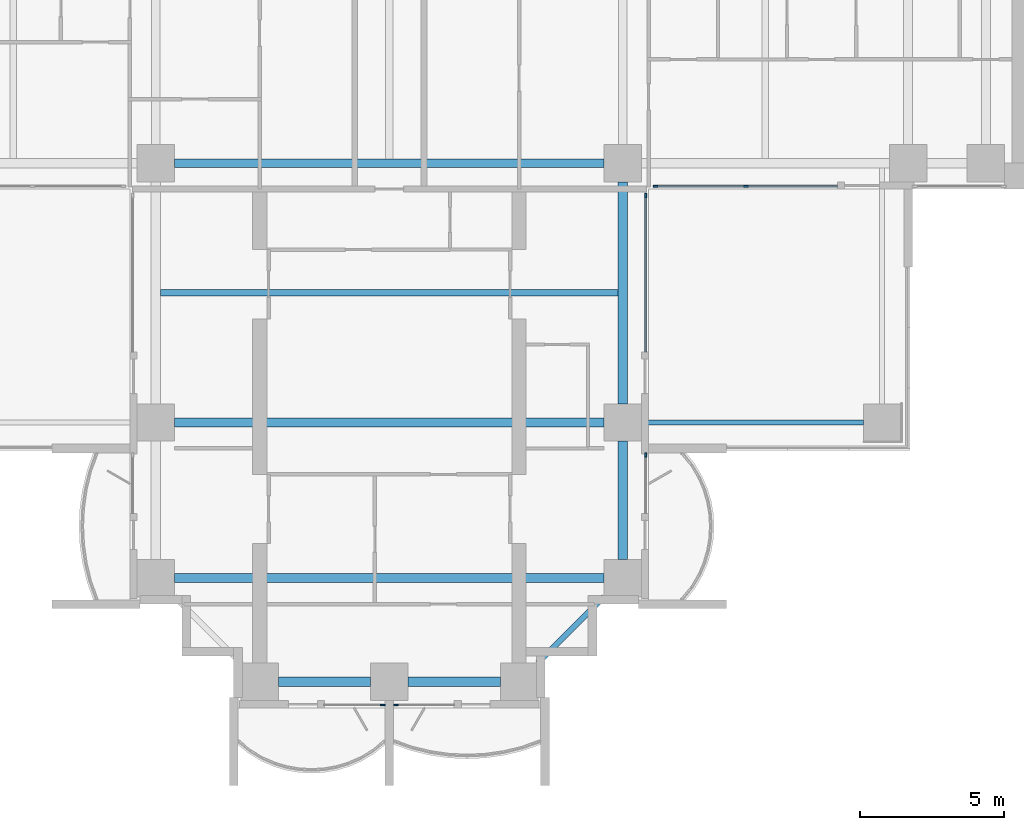
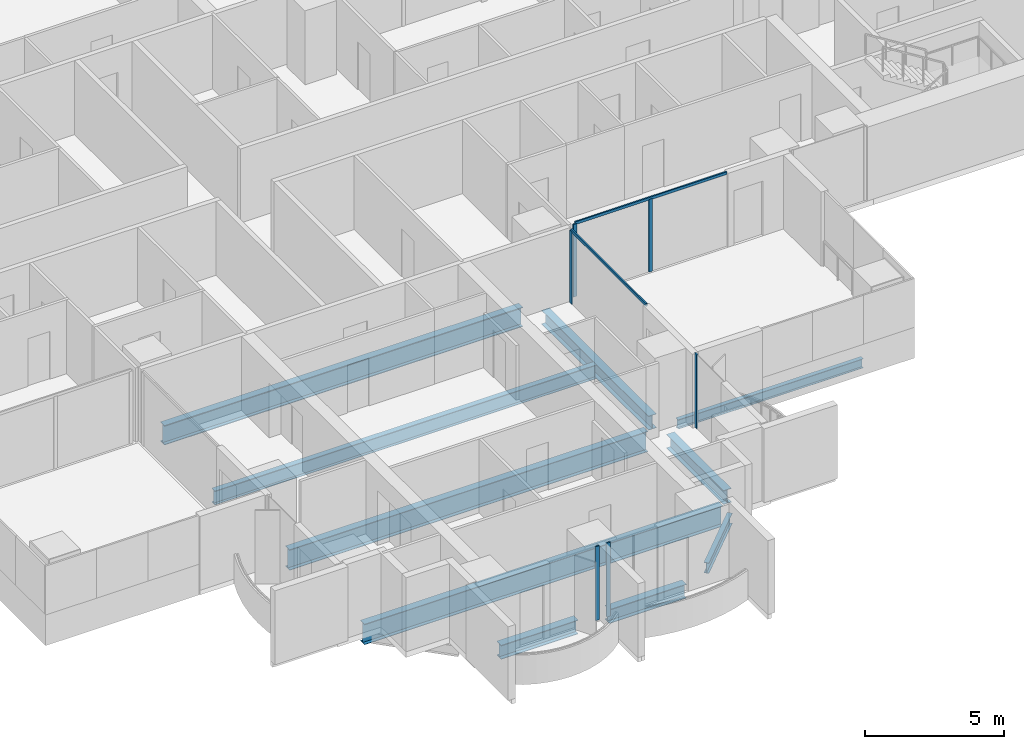
# One storey, part 3 of 20: 10 beams, 8 members, 5 elements without a shape of their own.
"""IFC4 building model written with IfcOpenShell, lengths in metres."""

import ifcopenshell
import ifcopenshell.guid

model = None  # the IFC model being written
_history = None  # IfcOwnerHistory: only IFC2X3 demands one
_inside = {}  # id of a spatial element -> (the spatial element, [elements in it])
_under = {}  # id of a project, library or spatial element -> (it, [spatial elements below it])
_declared = {}  # id of a project -> (the project, [libraries it declares])
_typed = {}  # id of a type object -> (the type object, [elements of that type])
_made_of = {}  # id of a material, layer set ... -> (it, [elements and type objects made of it])


def new_model(schema):
    """Start an empty IFC model of exactly this schema.

    Asked for "IFC4X3", IfcOpenShell would pick the latest addendum, in which some entities
    have other attributes; the version numbers below select the first issue.
    IFC2X3 requires an IfcOwnerHistory on every rooted entity: one is made here for all.
    """
    global model, _history
    if schema == "IFC4X3":
        model = ifcopenshell.file(schema_version=(4, 3, 0, 0))
    else:
        model = ifcopenshell.file(schema=schema)
    _inside.clear()
    _under.clear()
    _declared.clear()
    _typed.clear()
    _made_of.clear()
    _history = None
    if model.schema == "IFC2X3":
        org = make("IfcOrganization", Name="unknown")
        user = make(
            "IfcPersonAndOrganization",
            ThePerson=make("IfcPerson", FamilyName="unknown"),
            TheOrganization=org,
        )
        app = make(
            "IfcApplication",
            ApplicationDeveloper=org,
            Version="unknown",
            ApplicationFullName="unknown",
            ApplicationIdentifier="unknown",
        )
        _history = make(
            "IfcOwnerHistory",
            OwningUser=user,
            OwningApplication=app,
            ChangeAction="ADDED",
            CreationDate=0,
        )
    return model


def make(cls, **values):
    """One entity of the class cls with the attributes given. An attribute that is None is left unset."""
    return model.create_entity(
        cls, **{name: value for name, value in values.items() if value is not None}
    )


def rooted(cls, **values):
    """An entity with a GlobalId (a new one), such as an element, a storey or a relation."""
    return make(cls, GlobalId=ifcopenshell.guid.new(), OwnerHistory=_history, **values)


def si_unit(unit_type, name, prefix=None):
    """IfcSIUnit, for example si_unit("LENGTHUNIT", "METRE", prefix="MILLI")."""
    return make("IfcSIUnit", UnitType=unit_type, Prefix=prefix, Name=name)


def assignment(units):
    """IfcUnitAssignment: the units of a project."""
    return None if units is None else make("IfcUnitAssignment", Units=units)


def point(xyz):
    """IfcCartesianPoint."""
    return None if xyz is None else make("IfcCartesianPoint", Coordinates=xyz)


def direction(xyz):
    """IfcDirection."""
    return None if xyz is None else make("IfcDirection", DirectionRatios=xyz)


def frame(location, z_axis=None, x_axis=None):
    """IfcAxis2Placement3D, a coordinate frame: its origin and axes. An axis left out is left unset."""
    return make(
        "IfcAxis2Placement3D",
        Location=point(location),
        Axis=direction(z_axis),
        RefDirection=direction(x_axis),
    )


def frame_2d(location, x_axis=None):
    """IfcAxis2Placement2D, a coordinate frame in the plane: its origin and x axis."""
    return make(
        "IfcAxis2Placement2D", Location=point(location), RefDirection=direction(x_axis)
    )


def origin():
    """The frame at (0, 0, 0) with its axes left unset."""
    return frame((0.0, 0.0, 0.0))


def origin_2d():
    """The frame at (0, 0) in the plane with its x axis left unset."""
    return frame_2d((0.0, 0.0))


def place(relative_to, where):
    """IfcLocalPlacement: puts the frame where relative to a parent placement (None: the world)."""
    return make(
        "IfcLocalPlacement", PlacementRelTo=relative_to, RelativePlacement=where
    )


def context(
    kind, dimensions, precision=None, world=None, true_north=None, identifier=None
):
    """IfcGeometricRepresentationContext, for example the 3D "Model" context."""
    return make(
        "IfcGeometricRepresentationContext",
        ContextIdentifier=identifier,
        ContextType=kind,
        CoordinateSpaceDimension=dimensions,
        Precision=precision,
        WorldCoordinateSystem=world,
        TrueNorth=true_north,
    )


def subcontext(parent, identifier, kind, view, scale=None):
    """IfcGeometricRepresentationSubContext, for example "Body" below "Model"."""
    return make(
        "IfcGeometricRepresentationSubContext",
        ContextIdentifier=identifier,
        ContextType=kind,
        ParentContext=parent,
        TargetScale=scale,
        TargetView=view,
    )


def project(units=None, contexts=None):
    """IfcProject with its units and contexts."""
    return rooted(
        "IfcProject",
        Name="project",
        RepresentationContexts=contexts,
        UnitsInContext=assignment(units),
    )


def spatial(cls, under=None, at=None, **own):
    """A site, building, storey or space (cls), placed at a placement, below another one or the project."""
    s = rooted(cls, ObjectPlacement=at, **own)
    if under is not None:
        _under.setdefault(under.id(), (under, []))[1].append(s)
    return s


def profile(cls, at=None, kind="AREA", **sizes):
    """A parametric profile (cls). Its sizes go by their IFC names, for example OverallWidth=200.0."""
    return make(cls, ProfileType=kind, Position=at, **sizes)


def rectangle(**sizes):
    """IfcRectangleProfileDef."""
    return profile("IfcRectangleProfileDef", **sizes)


def i_section(**sizes):
    """IfcIShapeProfileDef."""
    return profile("IfcIShapeProfileDef", **sizes)


def extrude(swept, where, along, depth):
    """IfcExtrudedAreaSolid: the profile swept, set in the frame where, extruded along a direction by depth."""
    return make(
        "IfcExtrudedAreaSolid",
        SweptArea=swept,
        Position=where,
        ExtrudedDirection=direction(along),
        Depth=depth,
    )


def shape(context_of_items, identifier, shape_type, items):
    """IfcShapeRepresentation: the items that make up one representation, for example the "Body"."""
    return make(
        "IfcShapeRepresentation",
        ContextOfItems=context_of_items,
        RepresentationIdentifier=identifier,
        RepresentationType=shape_type,
        Items=items,
    )


def material(Name=None, Category=None):
    """IfcMaterial."""
    return make("IfcMaterial", Name=Name, Category=Category)


def material_profile(
    of_material, cross_section, Name=None, Category=None, Priority=None
):
    """IfcMaterialProfile: a cross section and its material."""
    return make(
        "IfcMaterialProfile",
        Name=Name,
        Material=of_material,
        Profile=cross_section,
        Priority=Priority,
        Category=Category,
    )


def profile_set(profiles, Name=None, composite=None):
    """IfcMaterialProfileSet."""
    return make(
        "IfcMaterialProfileSet",
        Name=Name,
        MaterialProfiles=profiles,
        CompositeProfile=composite,
    )


def made_of(thing, what):
    """Note that an element or type object is made of a material, layer set ...; save() writes the relation."""
    if what is not None:
        _made_of.setdefault(what.id(), (what, []))[1].append(thing)
    return thing


def type_object(cls, material=None, **own):
    """A type object (cls), such as IfcWallType, which elements share."""
    return made_of(rooted(cls, **own), material)


def element(
    cls,
    number,
    at=None,
    inside=None,
    cuts=None,
    type_object=None,
    material=None,
    context=None,
    identifier="Body",
    shape_type=None,
    held_by="IfcProductDefinitionShape",
    body=None,
    shapes=None,
    **own,
):
    """One element of the class cls, such as IfcWall. Its Tag is "e" and its number.

    at: its placement. inside: the storey or other place that contains it. cuts: it is an
    opening in that element (IfcRelVoidsElement). A single representation is given by context,
    identifier, shape_type and body (its items); several are given by shapes. held_by: the class
    of the entity that holds the representations. save() writes the other relations.
    """
    e = rooted(cls, Tag="e%d" % number, ObjectPlacement=at, **own)
    if body is not None:
        shapes = [shape(context, identifier, shape_type, body)]
    if shapes is not None:
        e.Representation = make(held_by, Representations=shapes)
    if inside is not None:
        _inside.setdefault(inside.id(), (inside, []))[1].append(e)
    if cuts is not None:
        rooted(
            "IfcRelVoidsElement", RelatingBuildingElement=cuts, RelatedOpeningElement=e
        )
    if type_object is not None:
        _typed.setdefault(type_object.id(), (type_object, []))[1].append(e)
    return made_of(e, material)


def aggregate(whole, parts):
    """IfcRelAggregates: a whole, such as a stair, and the parts it consists of."""
    return rooted("IfcRelAggregates", RelatingObject=whole, RelatedObjects=parts)


def save(model, path):
    """Write the relations noted so far, then the file.

    IfcRelAggregates (storeys below a building ...), IfcRelContainedInSpatialStructure (elements
    in a storey), IfcRelDefinesByType, IfcRelAssociatesMaterial and IfcRelDeclares: one each for
    every whole, place, type object, material and project.
    """
    for whole, parts in _under.values():
        aggregate(whole, parts)
    for where, things in _inside.values():
        rooted(
            "IfcRelContainedInSpatialStructure",
            RelatedElements=things,
            RelatingStructure=where,
        )
    for kind, things in _typed.values():
        rooted("IfcRelDefinesByType", RelatedObjects=things, RelatingType=kind)
    for what, things in _made_of.values():
        rooted("IfcRelAssociatesMaterial", RelatedObjects=things, RelatingMaterial=what)
    for by, libraries in _declared.values():
        rooted("IfcRelDeclares", RelatingContext=by, RelatedDefinitions=libraries)
    model.write(path)


model = new_model("IFC4")

# Units and contexts
model_context = context("Model", 3, precision=1e-05, world=origin(), true_north=direction((0.0, 1.0)))
body_context = subcontext(model_context, "Body", "Model", "MODEL_VIEW")
ifc_project = project(units=[si_unit("LENGTHUNIT", "METRE"), si_unit("AREAUNIT", "SQUARE_METRE"), si_unit("VOLUMEUNIT", "CUBIC_METRE"), si_unit("PLANEANGLEUNIT", "RADIAN"), si_unit("MASSUNIT", "GRAM", prefix="KILO")], contexts=[model_context])

# Site, building, storey
site_placement = place(None, origin())
site = spatial("IfcSite", under=ifc_project, at=site_placement, CompositionType="ELEMENT")
building_placement = place(site_placement, origin())
building = spatial("IfcBuilding", under=site, at=building_placement, Name="Perihelion Cross Residences", CompositionType="ELEMENT")
storey_placement = place(building_placement, frame((0.0, 0.0, 68.0)))
storey = spatial("IfcBuildingStorey", under=building, at=storey_placement, Name="L14", CompositionType="ELEMENT", Elevation=68.0)

# Curtain wall, member
ifc_material_1 = material(Name="Bronze anodised aluminium, tinted glazing", Category="aluminium")
curtain_wall_type = type_object("IfcCurtainWallType", Name="CW1", PredefinedType="NOTDEFINED", material=ifc_material_1)
curtain_wall_1_placement = place(storey_placement, origin())
curtain_wall_1 = element("IfcCurtainWall", 1, at=curtain_wall_1_placement, inside=storey, type_object=curtain_wall_type, Name="Curtain wall CW1 L14 south tip south bay 1", PredefinedType="NOTDEFINED")
ifc_material_2 = material(Name="Bronze anodised aluminium", Category="aluminium")
ifc_material_profile_1 = material_profile(ifc_material_2, rectangle(XDim=0.06005859375, YDim=0.159912109375, at=origin_2d()), Name="CW1 mullion")
ifc_profile_set_1 = profile_set([ifc_material_profile_1], Name="Bronze anodised aluminium")
member_type_1 = type_object("IfcMemberType", Name="CW1 mullion", PredefinedType="MULLION", material=ifc_profile_set_1)
member_1_placement = place(storey_placement, frame((-0.22998046875, -26.89990234375, 0.0), z_axis=(0.0, 0.0, 1.0), x_axis=(0.0, 1.0, 0.0)))
member_1 = element("IfcMember", 2, at=member_1_placement, type_object=member_type_1, Name="CW1 mullion 2", PredefinedType="MULLION", context=body_context, shape_type="SweptSolid", body=[
    extrude(rectangle(XDim=0.06005859375, YDim=0.159912109375, at=origin_2d()), origin(), (0.0, 0.0, 1.0), 3.25),
])
aggregate(curtain_wall_1, [member_1])

curtain_wall_2_placement = place(storey_placement, origin())
curtain_wall_2 = element("IfcCurtainWall", 3, at=curtain_wall_2_placement, inside=storey, type_object=curtain_wall_type, Name="Curtain wall CW1 L14 south tip south bay 2", PredefinedType="NOTDEFINED")
member_2_placement = place(storey_placement, frame((0.22998046875, -26.89990234375, 0.0), z_axis=(0.0, 0.0, 1.0), x_axis=(0.0, 1.0, 0.0)))
member_2 = element("IfcMember", 4, at=member_2_placement, type_object=member_type_1, Name="CW1 mullion 1", PredefinedType="MULLION", context=body_context, shape_type="SweptSolid", body=[
    extrude(rectangle(XDim=0.06005859375, YDim=0.159912109375, at=origin_2d()), origin(), (0.0, 0.0, 1.0), 3.25),
])
aggregate(curtain_wall_2, [member_2])

curtain_wall_3_placement = place(storey_placement, origin())
curtain_wall_3 = element("IfcCurtainWall", 5, at=curtain_wall_3_placement, inside=storey, type_object=curtain_wall_type, Name="Curtain wall CW1 L14 south side east bay 1", PredefinedType="NOTDEFINED")
member_3_placement = place(storey_placement, frame((8.89990234375, -18.22998046875, 0.0), z_axis=(0.0, 0.0, 1.0), x_axis=(-1.0, 0.0, 0.0)))
member_3 = element("IfcMember", 6, at=member_3_placement, type_object=member_type_1, Name="CW1 mullion 2", PredefinedType="MULLION", context=body_context, shape_type="SweptSolid", body=[
    extrude(rectangle(XDim=0.06005859375, YDim=0.159912109375, at=origin_2d()), origin(), (0.0, 0.0, 1.0), 3.25),
])
aggregate(curtain_wall_3, [member_3])

curtain_wall_4_placement = place(storey_placement, origin())
curtain_wall_4 = element("IfcCurtainWall", 7, at=curtain_wall_4_placement, inside=storey, type_object=curtain_wall_type, Name="Curtain wall CW1 L14 south side east bay 2", PredefinedType="NOTDEFINED")
member_4_placement = place(storey_placement, frame((8.89990234375, -9.22998046875, 0.0), z_axis=(0.0, 0.0, 1.0), x_axis=(-1.0, 0.0, 0.0)))
member_4 = element("IfcMember", 8, at=member_4_placement, type_object=member_type_1, Name="CW1 mullion 2", PredefinedType="MULLION", context=body_context, shape_type="SweptSolid", body=[
    extrude(rectangle(XDim=0.06005859375, YDim=0.159912109375, at=origin_2d()), origin(), (0.0, 0.0, 1.0), 3.18994140625),
])

# Curtain wall, members
curtain_wall_5_placement = place(storey_placement, origin())
curtain_wall_5 = element("IfcCurtainWall", 9, at=curtain_wall_5_placement, inside=storey, type_object=curtain_wall_type, Name="Curtain wall CW1 L14 east side south bay 1", PredefinedType="NOTDEFINED")
member_5_placement = place(storey_placement, frame((9.22998046875, -8.89990234375, 0.0), z_axis=(0.0, 0.0, 1.0), x_axis=(0.0, 1.0, 0.0)))
member_5 = element("IfcMember", 10, at=member_5_placement, type_object=member_type_1, Name="CW1 mullion 1", PredefinedType="MULLION", context=body_context, shape_type="SweptSolid", body=[
    extrude(rectangle(XDim=0.06005859375, YDim=0.159912109375, at=origin_2d()), origin(), (0.0, 0.0, 1.0), 3.18994140625),
])
member_6_placement = place(storey_placement, frame((12.375, -8.89990234375, 0.0), z_axis=(0.0, 0.0, 1.0), x_axis=(0.0, 1.0, 0.0)))
member_6 = element("IfcMember", 11, at=member_6_placement, type_object=member_type_1, Name="CW1 mullion 2", PredefinedType="MULLION", context=body_context, shape_type="SweptSolid", body=[
    extrude(rectangle(XDim=0.06005859375, YDim=0.159912109375, at=origin_2d()), origin(), (0.0, 0.0, 1.0), 3.18994140625),
])

# Member
ifc_material_3 = material(Name="Bronze anodised aluminium", Category="aluminium")
ifc_material_profile_2 = material_profile(ifc_material_3, rectangle(XDim=0.06005859375, YDim=0.1201171875, at=origin_2d()), Name="CW1 transom")
ifc_profile_set_2 = profile_set([ifc_material_profile_2], Name="Bronze anodised aluminium")
member_type_2 = type_object("IfcMemberType", Name="CW1 transom", PredefinedType="USERDEFINED", material=ifc_profile_set_2)
member_7_placement = place(storey_placement, frame((8.89990234375, -14.64990234375, 3.219970703125), z_axis=(0.0, 1.0, 0.0), x_axis=(-1.0, 0.0, 0.0)))
member_7 = element("IfcMember", 12, at=member_7_placement, type_object=member_type_2, Name="CW1 head transom", ObjectType="TRANSOM", PredefinedType="USERDEFINED", context=body_context, shape_type="SweptSolid", body=[
    extrude(rectangle(XDim=0.06005859375, YDim=0.1201171875, at=origin_2d()), origin(), (0.0, 0.0, 1.0), 5.419921875),
])

aggregate(curtain_wall_4, [member_4, member_7])

member_8_placement = place(storey_placement, frame((9.22998046875, -8.89990234375, 3.219970703125), z_axis=(1.0, 0.0, 0.0), x_axis=(0.0, 1.0, 0.0)))
member_8 = element("IfcMember", 13, at=member_8_placement, type_object=member_type_2, Name="CW1 head transom", ObjectType="TRANSOM", PredefinedType="USERDEFINED", context=body_context, shape_type="SweptSolid", body=[
    extrude(rectangle(XDim=0.06005859375, YDim=0.1201171875, at=origin_2d()), origin(), (0.0, 0.0, 1.0), 6.320068359375),
])

aggregate(curtain_wall_5, [member_5, member_6, member_8])

# Beams
ifc_material_4 = material(Name="Steel S355", Category="steel")
ifc_material_profile_3 = material_profile(ifc_material_4, i_section(OverallWidth=0.177978515625, OverallDepth=0.406005859375, WebThickness=0.0078125, FlangeThickness=0.0126953125, at=origin_2d()), Name="W410x60")
ifc_profile_set_3 = profile_set([ifc_material_profile_3], Name="Steel S355")
beam_type_1 = type_object("IfcBeamType", Name="Core edge beam W410x60", PredefinedType="BEAM", material=ifc_profile_set_3)
beam_1_placement = place(storey_placement, frame((8.75, -17.10009765625, -0.452880859375), z_axis=(1.0, 0.0, 0.0), x_axis=(0.0, 1.0, 0.0)))
element("IfcBeam", 14, at=beam_1_placement, inside=storey, type_object=beam_type_1, Name="Core edge beam TB2 L14 corner no. 6", PredefinedType="BEAM", context=body_context, shape_type="SweptSolid", body=[
    extrude(i_section(OverallWidth=0.177978515625, OverallDepth=0.406005859375, WebThickness=0.0078125, FlangeThickness=0.0126953125, at=origin_2d()), origin(), (0.0, 0.0, 1.0), 7.699951171875),
])
ifc_material_5 = material(Name="Steel S355", Category="steel")
ifc_material_profile_4 = material_profile(ifc_material_5, i_section(OverallWidth=0.324951171875, OverallDepth=0.616943359375, WebThickness=0.013916015625, FlangeThickness=0.021484375, at=origin_2d()), Name="W610x174")
ifc_profile_set_4 = profile_set([ifc_material_profile_4], Name="Steel S355")
beam_type_2 = type_object("IfcBeamType", Name="Edge beam W610x174", PredefinedType="SPANDREL", material=ifc_profile_set_4)
for number, where, z_axis, x_axis, name in (
    (15, (-3.85009765625, -26.10009765625, -0.55859375), (1.0, 0.0, 0.0), (0.0, 1.0, 0.0), "Edge beam SB2 L14 no. 4"),
    (16, (0.64990234375, -26.10009765625, -0.55859375), (1.0, 0.0, 0.0), (0.0, 1.0, 0.0), "Edge beam SB2 L14 no. 10"),
):
    element("IfcBeam", number, at=place(storey_placement, frame(where, z_axis=z_axis, x_axis=x_axis)), inside=storey, type_object=beam_type_2, Name=name, PredefinedType="SPANDREL", context=body_context, shape_type="SweptSolid", body=[
        extrude(i_section(OverallWidth=0.324951171875, OverallDepth=0.616943359375, WebThickness=0.013916015625, FlangeThickness=0.021484375, at=origin_2d()), origin(), (0.0, 0.0, 1.0), 3.2001953125),
    ])
beam_2_placement = place(storey_placement, frame((8.10009765625, -21.85009765625, -0.55859375), z_axis=(0.0, 1.0, 0.0), x_axis=(-1.0, 0.0, 0.0)))
element("IfcBeam", 17, at=beam_2_placement, inside=storey, type_object=beam_type_2, Name="Edge beam SB2 L14 no. 17", PredefinedType="SPANDREL", context=body_context, shape_type="SweptSolid", body=[
    extrude(i_section(OverallWidth=0.324951171875, OverallDepth=0.616943359375, WebThickness=0.013916015625, FlangeThickness=0.021484375, at=origin_2d()), origin(), (0.0, 0.0, 1.0), 4.10009765625),
])
beam_3_placement = place(storey_placement, frame((8.10009765625, -16.449951171875, -0.55859375), z_axis=(0.0, 1.0, 0.0), x_axis=(-1.0, 0.0, 0.0)))
element("IfcBeam", 18, at=beam_3_placement, inside=storey, type_object=beam_type_2, Name="Edge beam SB2 L14 no. 16", PredefinedType="SPANDREL", context=body_context, shape_type="SweptSolid", body=[
    extrude(i_section(OverallWidth=0.324951171875, OverallDepth=0.616943359375, WebThickness=0.013916015625, FlangeThickness=0.021484375, at=origin_2d()), origin(), (0.0, 0.0, 1.0), 7.699951171875),
])
ifc_material_6 = material(Name="Steel S355", Category="steel")
ifc_material_profile_5 = material_profile(ifc_material_6, i_section(OverallWidth=0.304931640625, OverallDepth=0.904052734375, WebThickness=0.01513671875, FlangeThickness=0.02001953125, at=origin_2d()), Name="W920x201")
ifc_profile_set_5 = profile_set([ifc_material_profile_5], Name="Steel S355")
beam_type_3 = type_object("IfcBeamType", Name="Floor girder W920x201", PredefinedType="BEAM", material=ifc_profile_set_5)
for number, where, z_axis, x_axis, name in (
    (19, (-7.449951171875, -17.10009765625, -0.701904296875), (1.0, 0.0, 0.0), (0.0, 1.0, 0.0), "Girder G2 L14 no. 3"),
    (20, (-7.449951171875, -22.5, -0.701904296875), (1.0, 0.0, 0.0), (0.0, 1.0, 0.0), "Girder G2 L14 no. 4"),
):
    element("IfcBeam", number, at=place(storey_placement, frame(where, z_axis=z_axis, x_axis=x_axis)), inside=storey, type_object=beam_type_3, Name=name, PredefinedType="BEAM", context=body_context, shape_type="SweptSolid", body=[
        extrude(i_section(OverallWidth=0.304931640625, OverallDepth=0.904052734375, WebThickness=0.01513671875, FlangeThickness=0.02001953125, at=origin_2d()), origin(), (0.0, 0.0, 1.0), 14.89990234375),
    ])
ifc_material_7 = material(Name="Steel S355", Category="steel")
ifc_material_profile_6 = material_profile(ifc_material_7, i_section(OverallWidth=0.22900390625, OverallDepth=0.612060546875, WebThickness=0.011962890625, FlangeThickness=0.01953125, at=origin_2d()), Name="W610x125")
ifc_profile_set_6 = profile_set([ifc_material_profile_6], Name="Steel S355")
beam_type_4 = type_object("IfcBeamType", Name="Floor joist W610x125", PredefinedType="JOIST", material=ifc_profile_set_6)
beam_4_placement = place(storey_placement, frame((-7.9375, -12.60009765625, -0.555908203125), z_axis=(1.0, 0.0, 0.0), x_axis=(0.0, 1.0, 0.0)))
element("IfcBeam", 21, at=beam_4_placement, inside=storey, type_object=beam_type_4, Name="Joist J3 L14 no. 3", PredefinedType="JOIST", context=body_context, shape_type="SweptSolid", body=[
    extrude(i_section(OverallWidth=0.22900390625, OverallDepth=0.612060546875, WebThickness=0.011962890625, FlangeThickness=0.01953125, at=origin_2d()), origin(), (0.0, 0.0, 1.0), 15.875),
])
ifc_material_8 = material(Name="Steel S355", Category="steel")
ifc_material_profile_7 = material_profile(ifc_material_8, i_section(OverallWidth=0.2919921875, OverallDepth=0.85888671875, WebThickness=0.01708984375, FlangeThickness=0.031005859375, at=origin_2d()), Name="W840x251")
ifc_profile_set_7 = profile_set([ifc_material_profile_7], Name="Steel S355")
beam_type_5 = type_object("IfcBeamType", Name="Hub ring girder W840x251", PredefinedType="BEAM", material=ifc_profile_set_7)
beam_5_placement = place(storey_placement, frame((-7.449951171875, -8.10009765625, -0.679443359375), z_axis=(1.0, 0.0, 0.0), x_axis=(0.0, 1.0, 0.0)))
element("IfcBeam", 22, at=beam_5_placement, inside=storey, type_object=beam_type_5, Name="Hub ring girder RG2 L14 no. 1", PredefinedType="BEAM", context=body_context, shape_type="SweptSolid", body=[
    extrude(i_section(OverallWidth=0.2919921875, OverallDepth=0.85888671875, WebThickness=0.01708984375, FlangeThickness=0.031005859375, at=origin_2d()), origin(), (0.0, 0.0, 1.0), 14.89990234375),
])
ifc_material_9 = material(Name="Steel S355", Category="steel")
ifc_material_profile_8 = material_profile(ifc_material_9, i_section(OverallWidth=0.194091796875, OverallDepth=0.469970703125, WebThickness=0.0126953125, FlangeThickness=0.0205078125, at=origin_2d()), Name="W460x106")
ifc_profile_set_8 = profile_set([ifc_material_profile_8], Name="Steel S355")
beam_type_6 = type_object("IfcBeamType", Name="Serration edge beam W460x106", PredefinedType="BEAM", material=ifc_profile_set_8)
beam_6_placement = place(storey_placement, frame((5.14990234375, -25.449951171875, -0.485107421875), z_axis=(0.707106781187, 0.707106781187, 0.0), x_axis=(-0.707106781187, 0.707106781187, 0.0)))
element("IfcBeam", 23, at=beam_6_placement, inside=storey, type_object=beam_type_6, Name="Serration edge beam EB2 L14 no. 3", PredefinedType="BEAM", context=body_context, shape_type="SweptSolid", body=[
    extrude(i_section(OverallWidth=0.194091796875, OverallDepth=0.469970703125, WebThickness=0.0126953125, FlangeThickness=0.0205078125, at=origin_2d()), origin(), (0.0, 0.0, 1.0), 3.252685546875),
])

save(model, "model.ifc")
